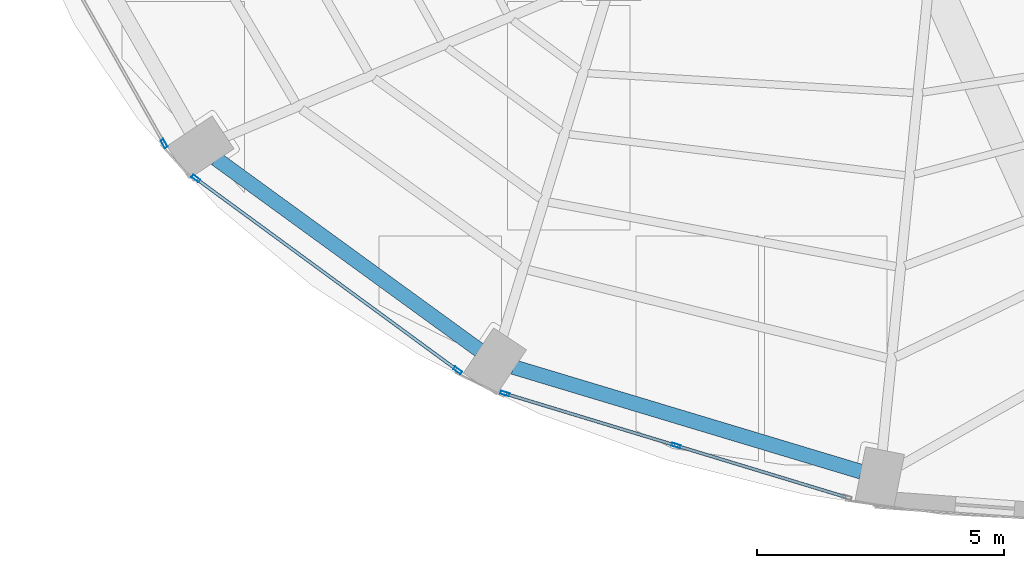
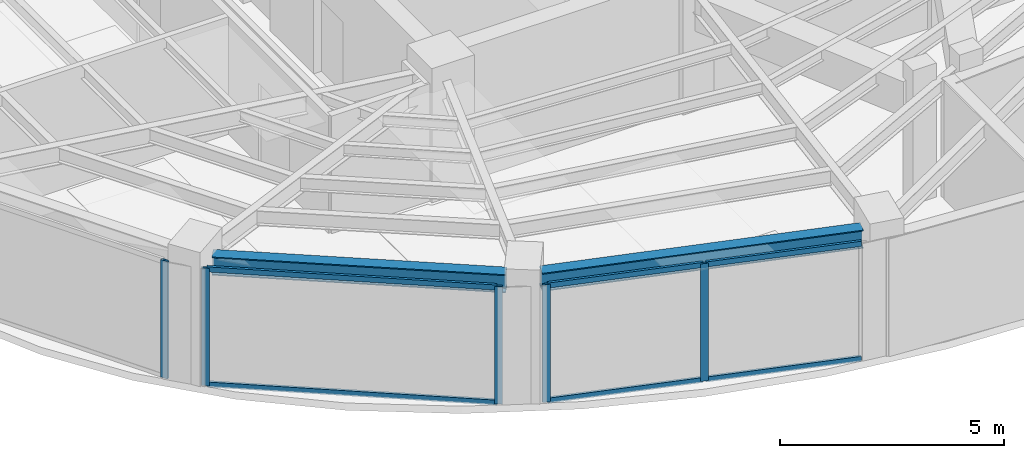
# One storey, part 2 of 22: 11 members, 2 beams, 3 elements without a shape of their own.
"""IFC4 building model written with IfcOpenShell, lengths in metres."""

from ifc_helpers import new_model, si_unit, direction, frame, origin, origin_2d, place, context, subcontext, project, spatial, hollow_rectangle, i_section, extrude, material, layer, layer_set, material_profile, profile_set, type_object, element, aggregate, save


model = new_model("IFC4")

# Units and contexts
model_context = context("Model", 3, precision=1e-05, world=origin(), true_north=direction((0.0, 1.0)))
body_context = subcontext(model_context, "Body", "Model", "MODEL_VIEW")
ifc_project = project(units=[si_unit("LENGTHUNIT", "METRE"), si_unit("AREAUNIT", "SQUARE_METRE"), si_unit("VOLUMEUNIT", "CUBIC_METRE"), si_unit("PLANEANGLEUNIT", "RADIAN"), si_unit("MASSUNIT", "GRAM", prefix="KILO")], contexts=[model_context])

# Site, building, storey
site_placement = place(None, origin())
site = spatial("IfcSite", under=ifc_project, at=site_placement, CompositionType="ELEMENT")
building_placement = place(site_placement, origin())
building = spatial("IfcBuilding", under=site, at=building_placement, Name="Lazwardi Medical Tower", CompositionType="ELEMENT")
storey_placement = place(building_placement, frame((0.0, 0.0, 242.256103515625)))
storey = spatial("IfcBuildingStorey", under=building, at=storey_placement, Name="L63", CompositionType="ELEMENT", Elevation=242.256103515625)

# Beams
ifc_material_1 = material(Name="Steel S355", Category="steel")
ifc_material_profile_1 = material_profile(ifc_material_1, i_section(OverallWidth=0.300048828125, OverallDepth=0.5, WebThickness=0.014404296875, FlangeThickness=0.028076171875, at=origin_2d()), Name="HEB 500")
ifc_profile_set_1 = profile_set([ifc_material_profile_1], Name="Steel S355")
beam_type = type_object("IfcBeamType", Name="BM-RB-Z4", PredefinedType="BEAM", material=ifc_profile_set_1)
beam_1_placement = place(storey_placement, frame((18.355712890625, 16.648193359375, 2.947998046875), z_axis=(0.808889916254, -0.587960120571, 0.0), x_axis=(0.587960120571, 0.808889916254, 0.0)))
element("IfcBeam", 1, at=beam_1_placement, inside=storey, type_object=beam_type, Name="Ring beam RB-05 B14 L63", PredefinedType="BEAM", context=body_context, shape_type="SweptSolid", body=[
    extrude(i_section(OverallWidth=0.300048828125, OverallDepth=0.5, WebThickness=0.014404296875, FlangeThickness=0.028076171875, at=origin_2d()), origin(), (0.0, 0.0, 1.0), 6.587158203125),
])
beam_2_placement = place(storey_placement, frame((24.373046875, 12.43359375, 2.947998046875), z_axis=(0.957544311906, -0.288286126506, 0.0), x_axis=(0.288286126506, 0.957544311906, 0.0)))
element("IfcBeam", 2, at=beam_2_placement, inside=storey, type_object=beam_type, Name="Ring beam RB-05 B15 L63", PredefinedType="BEAM", context=body_context, shape_type="SweptSolid", body=[
    extrude(i_section(OverallWidth=0.300048828125, OverallDepth=0.5, WebThickness=0.014404296875, FlangeThickness=0.028076171875, at=origin_2d()), origin(), (0.0, 0.0, 1.0), 7.3515625),
])

# Curtain wall, member
ifc_material_2 = material(Name="Anodised bronze aluminium and solar control glazing", Category="aluminium")
ifc_layer = layer(ifc_material_2, 0.18994140625)
ifc_layer_set = layer_set([ifc_layer], Name="Anodised bronze aluminium and solar control glazing")
curtain_wall_type = type_object("IfcCurtainWallType", Name="CW-SYS-04", PredefinedType="NOTDEFINED", material=ifc_layer_set)
curtain_wall_1_placement = place(storey_placement, origin())
curtain_wall_1 = element("IfcCurtainWall", 3, at=curtain_wall_1_placement, inside=storey, type_object=curtain_wall_type, Name="L63 Unitised bronze curtain wall CW-04", PredefinedType="NOTDEFINED")
ifc_material_3 = material(Name="Anodised bronze aluminium", Category="aluminium")
ifc_material_profile_2 = material_profile(ifc_material_3, hollow_rectangle(XDim=0.06494140625, YDim=0.179931640625, WallThickness=0.00390625, at=origin_2d()), Name="ALU-MULLION 180x65x4")
ifc_profile_set_2 = profile_set([ifc_material_profile_2], Name="Anodised bronze aluminium")
member_type_1 = type_object("IfcMemberType", Name="CW-MUL-03", PredefinedType="MULLION", material=ifc_profile_set_2)
member_1_placement = place(storey_placement, frame((17.3056640625, 16.95458984375, 0.0), z_axis=(0.0, 0.0, 1.0), x_axis=(0.870651436011, 0.491900474661, 0.0)))
member_1 = element("IfcMember", 4, at=member_1_placement, type_object=member_type_1, Name="CW-04 mullion 2", PredefinedType="MULLION", context=body_context, shape_type="SweptSolid", body=[
    extrude(hollow_rectangle(XDim=0.06494140625, YDim=0.179931640625, WallThickness=0.00390625, at=origin_2d()), origin(), (0.0, 0.0, 1.0), 3.197998046875),
])
aggregate(curtain_wall_1, [member_1])

# Curtain wall, members
curtain_wall_2_placement = place(storey_placement, origin())
curtain_wall_2 = element("IfcCurtainWall", 5, at=curtain_wall_2_placement, inside=storey, type_object=curtain_wall_type, Name="L63 Unitised bronze curtain wall CW-04", PredefinedType="NOTDEFINED")
member_2_placement = place(storey_placement, frame((17.947998046875, 16.248291015625, 0.0), z_axis=(0.0, 0.0, 1.0), x_axis=(0.591268230971, 0.806474971121, 0.0)))
member_2 = element("IfcMember", 6, at=member_2_placement, type_object=member_type_1, Name="CW-04 mullion 1", PredefinedType="MULLION", context=body_context, shape_type="SweptSolid", body=[
    extrude(hollow_rectangle(XDim=0.06494140625, YDim=0.179931640625, WallThickness=0.00390625, at=origin_2d()), origin(), (0.0, 0.0, 1.0), 3.197998046875),
])
member_3_placement = place(storey_placement, frame((23.24462890625, 12.365234375, 0.0), z_axis=(0.0, 0.0, 1.0), x_axis=(0.591268230971, 0.806474971121, 0.0)))
member_3 = element("IfcMember", 7, at=member_3_placement, type_object=member_type_1, Name="CW-04 mullion 2", PredefinedType="MULLION", context=body_context, shape_type="SweptSolid", body=[
    extrude(hollow_rectangle(XDim=0.06494140625, YDim=0.179931640625, WallThickness=0.00390625, at=origin_2d()), origin(), (0.0, 0.0, 1.0), 3.197998046875),
])

curtain_wall_3_placement = place(storey_placement, origin())
curtain_wall_3 = element("IfcCurtainWall", 8, at=curtain_wall_3_placement, inside=storey, type_object=curtain_wall_type, Name="L63 Unitised bronze curtain wall CW-04", PredefinedType="NOTDEFINED")
member_4_placement = place(storey_placement, frame((24.2001953125, 11.896484375, 0.0), z_axis=(0.0, 0.0, 1.0), x_axis=(0.290581889515, 0.956850126972, 0.0)))
member_4 = element("IfcMember", 9, at=member_4_placement, type_object=member_type_1, Name="CW-04 mullion 1", PredefinedType="MULLION", context=body_context, shape_type="SweptSolid", body=[
    extrude(hollow_rectangle(XDim=0.06494140625, YDim=0.179931640625, WallThickness=0.00390625, at=origin_2d()), origin(), (0.0, 0.0, 1.0), 3.197998046875),
])
member_5_placement = place(storey_placement, frame((27.66357421875, 10.8447265625, 0.0), z_axis=(0.0, 0.0, 1.0), x_axis=(0.290581889515, 0.956850126972, 0.0)))
member_5 = element("IfcMember", 10, at=member_5_placement, type_object=member_type_1, Name="CW-04 mullion 2", PredefinedType="MULLION", context=body_context, shape_type="SweptSolid", body=[
    extrude(hollow_rectangle(XDim=0.06494140625, YDim=0.179931640625, WallThickness=0.00390625, at=origin_2d()), origin(), (0.0, 0.0, 1.0), 3.197998046875),
])

# Member
ifc_material_profile_3 = material_profile(ifc_material_3, hollow_rectangle(XDim=0.06494140625, YDim=0.139892578125, WallThickness=0.00341796875, at=origin_2d()), Name="ALU-TRANSOM 140x65x3.5")
ifc_profile_set_3 = profile_set([ifc_material_profile_3], Name="Anodised bronze aluminium")
member_type_2 = type_object("IfcMemberType", Name="CW-TRN-03", PredefinedType="USERDEFINED", material=ifc_profile_set_3)
member_6_placement = place(storey_placement, frame((17.97412109375, 16.229248046875, 0.032470703125), z_axis=(0.806471831148, -0.591272513791, 0.0), x_axis=(0.591272513791, 0.806471831148, 0.0)))
member_6 = element("IfcMember", 11, at=member_6_placement, type_object=member_type_2, Name="CW-04 transom 1.1", ObjectType="TRANSOM", PredefinedType="USERDEFINED", context=body_context, shape_type="SweptSolid", body=[
    extrude(hollow_rectangle(XDim=0.06494140625, YDim=0.139892578125, WallThickness=0.00341796875, at=origin_2d()), origin(), (0.0, 0.0, 1.0), 6.5029296875),
])

member_7_placement = place(storey_placement, frame((17.97412109375, 16.229248046875, 3.165283203125), z_axis=(0.806471831148, -0.591272513791, 0.0), x_axis=(0.591272513791, 0.806471831148, 0.0)))
member_7 = element("IfcMember", 12, at=member_7_placement, type_object=member_type_2, Name="CW-04 transom 1.2", ObjectType="TRANSOM", PredefinedType="USERDEFINED", context=body_context, shape_type="SweptSolid", body=[
    extrude(hollow_rectangle(XDim=0.06494140625, YDim=0.139892578125, WallThickness=0.00341796875, at=origin_2d()), origin(), (0.0, 0.0, 1.0), 6.5029296875),
])

aggregate(curtain_wall_2, [member_2, member_3, member_6, member_7])

member_8_placement = place(storey_placement, frame((24.2314453125, 11.886962890625, 0.032470703125), z_axis=(0.956862505902, -0.290541124109, 0.0), x_axis=(0.290541124109, 0.956862505902, 0.0)))
member_8 = element("IfcMember", 13, at=member_8_placement, type_object=member_type_2, Name="CW-04 transom 1.1", ObjectType="TRANSOM", PredefinedType="USERDEFINED", context=body_context, shape_type="SweptSolid", body=[
    extrude(hollow_rectangle(XDim=0.06494140625, YDim=0.139892578125, WallThickness=0.00341796875, at=origin_2d()), origin(), (0.0, 0.0, 1.0), 3.554443359375),
])

member_9_placement = place(storey_placement, frame((24.2314453125, 11.886962890625, 3.165283203125), z_axis=(0.956862505902, -0.290541124109, 0.0), x_axis=(0.290541124109, 0.956862505902, 0.0)))
member_9 = element("IfcMember", 14, at=member_9_placement, type_object=member_type_2, Name="CW-04 transom 1.2", ObjectType="TRANSOM", PredefinedType="USERDEFINED", context=body_context, shape_type="SweptSolid", body=[
    extrude(hollow_rectangle(XDim=0.06494140625, YDim=0.139892578125, WallThickness=0.00341796875, at=origin_2d()), origin(), (0.0, 0.0, 1.0), 3.554443359375),
])

member_10_placement = place(storey_placement, frame((27.694580078125, 10.835205078125, 0.032470703125), z_axis=(0.956862505902, -0.290541124109, 0.0), x_axis=(0.290541124109, 0.956862505902, 0.0)))
member_10 = element("IfcMember", 15, at=member_10_placement, type_object=member_type_2, Name="CW-04 transom 2.1", ObjectType="TRANSOM", PredefinedType="USERDEFINED", context=body_context, shape_type="SweptSolid", body=[
    extrude(hollow_rectangle(XDim=0.06494140625, YDim=0.139892578125, WallThickness=0.00341796875, at=origin_2d()), origin(), (0.0, 0.0, 1.0), 3.554443359375),
])

member_11_placement = place(storey_placement, frame((27.694580078125, 10.835205078125, 3.165283203125), z_axis=(0.956862505902, -0.290541124109, 0.0), x_axis=(0.290541124109, 0.956862505902, 0.0)))
member_11 = element("IfcMember", 16, at=member_11_placement, type_object=member_type_2, Name="CW-04 transom 2.2", ObjectType="TRANSOM", PredefinedType="USERDEFINED", context=body_context, shape_type="SweptSolid", body=[
    extrude(hollow_rectangle(XDim=0.06494140625, YDim=0.139892578125, WallThickness=0.00341796875, at=origin_2d()), origin(), (0.0, 0.0, 1.0), 3.554443359375),
])

aggregate(curtain_wall_3, [member_4, member_5, member_8, member_9, member_10, member_11])

save(model, "model.ifc")
